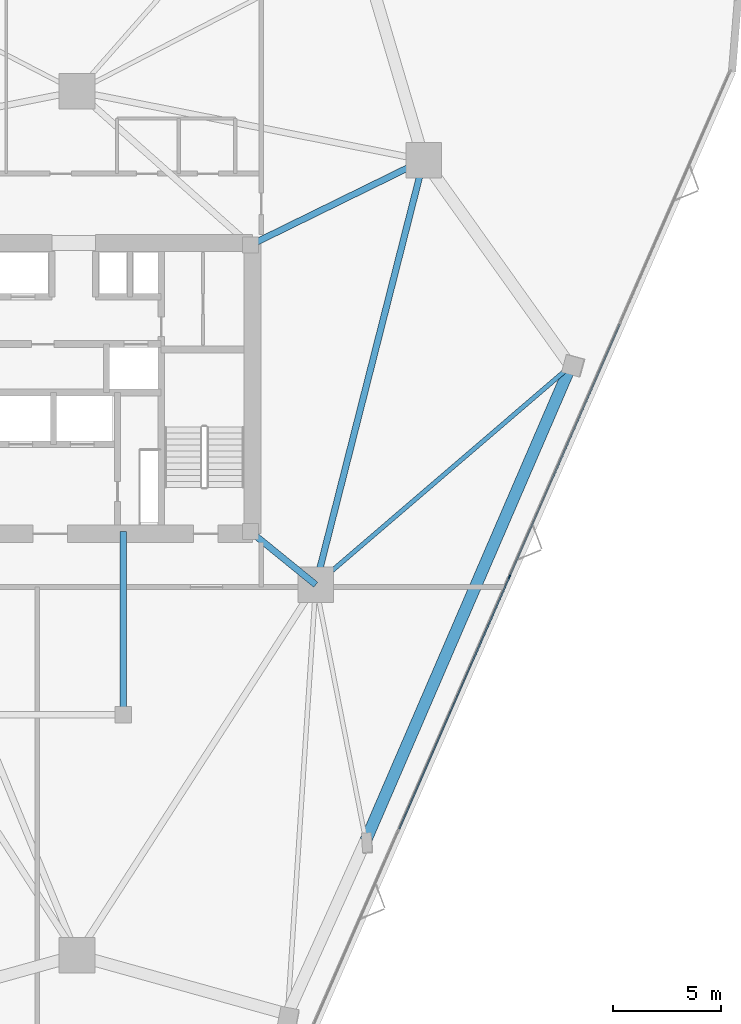
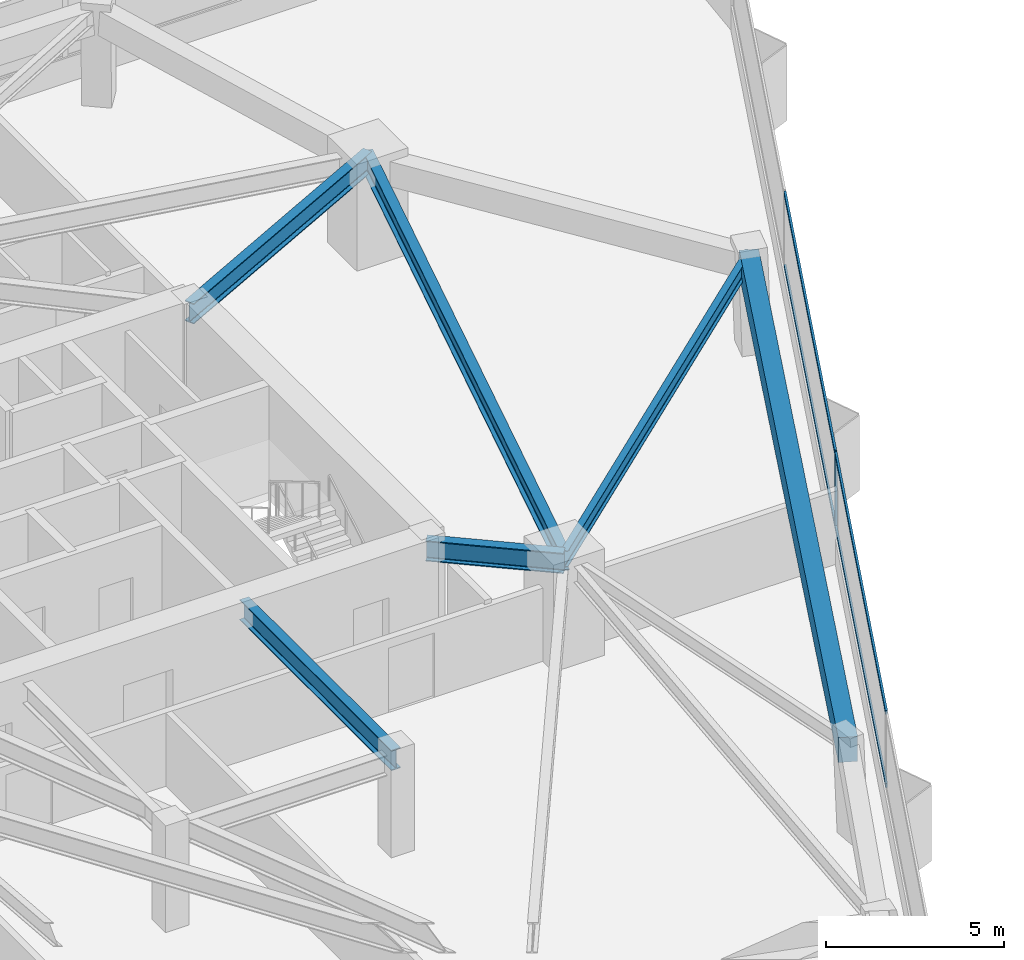
# One storey, part 7 of 16: 6 beams, 5 members, 1 element without a shape of its own.
"""IFC4 building model written with IfcOpenShell, lengths in metres."""

from ifc_helpers import new_model, si_unit, direction, frame, origin, origin_2d, place, context, subcontext, project, spatial, rectangle, i_section, extrude, material, layer, layer_set, material_profile, profile_set, type_object, element, aggregate, save


model = new_model("IFC4")

# Units and contexts
model_context = context("Model", 3, precision=1e-05, world=origin(), true_north=direction((0.0, 1.0)))
body_context = subcontext(model_context, "Body", "Model", "MODEL_VIEW")
ifc_project = project(units=[si_unit("LENGTHUNIT", "METRE"), si_unit("AREAUNIT", "SQUARE_METRE"), si_unit("VOLUMEUNIT", "CUBIC_METRE"), si_unit("PLANEANGLEUNIT", "RADIAN"), si_unit("MASSUNIT", "GRAM", prefix="KILO")], contexts=[model_context])

# Site, building, storey
site_placement = place(None, origin())
site = spatial("IfcSite", under=ifc_project, at=site_placement, CompositionType="ELEMENT")
building_placement = place(site_placement, origin())
building = spatial("IfcBuilding", under=site, at=building_placement, Name="Talyreon Biosciences Tower", CompositionType="ELEMENT")
storey_placement = place(building_placement, frame((0.0, 0.0, 107.85009765625)))
storey = spatial("IfcBuildingStorey", under=building, at=storey_placement, Name="L28", CompositionType="ELEMENT", Elevation=107.85009765625)

# Curtain wall, members
ifc_material_1 = material(Name="Thermally broken aluminium and low-E glazing", Category="aluminium")
ifc_layer = layer(ifc_material_1, 0.18994140625)
ifc_layer_set = layer_set([ifc_layer], Name="Thermally broken aluminium and low-E glazing")
curtain_wall_type = type_object("IfcCurtainWallType", Name="CurtainWall_Zone2Genomics", PredefinedType="NOTDEFINED", material=ifc_layer_set)
curtain_wall_placement = place(storey_placement, origin())
curtain_wall = element("IfcCurtainWall", 1, at=curtain_wall_placement, inside=storey, type_object=curtain_wall_type, Name="L28 Unitised Curtain Wall FCW-L28-08", PredefinedType="NOTDEFINED")
ifc_material_2 = material(Name="Anodised thermally broken aluminium", Category="aluminium")
ifc_material_profile_1 = material_profile(ifc_material_2, rectangle(XDim=0.06494140625, YDim=0.179931640625, at=origin_2d()), Name="ALUM MULLION 65x180")
ifc_profile_set_1 = profile_set([ifc_material_profile_1], Name="Anodised thermally broken aluminium")
member_type_1 = type_object("IfcMemberType", Name="CWMullion_65x180", PredefinedType="MULLION", material=ifc_profile_set_1)
member_1_placement = place(storey_placement, frame((86.083984375, 59.25146484375, 0.809814453125), z_axis=(0.0, 0.0, 1.0), x_axis=(0.9163461482, -0.400386983653, 0.0)))
member_1 = element("IfcMember", 2, at=member_1_placement, type_object=member_type_1, Name="CW3 mullion 3", PredefinedType="MULLION", context=body_context, shape_type="SweptSolid", body=[
    extrude(rectangle(XDim=0.06494140625, YDim=0.179931640625, at=origin_2d()), origin(), (0.0, 0.0, 1.0), 2.565185546875),
])
ifc_material_profile_2 = material_profile(ifc_material_2, rectangle(XDim=0.06494140625, YDim=0.139892578125, at=origin_2d()), Name="ALUM TRANSOM 65x140")
ifc_profile_set_2 = profile_set([ifc_material_profile_2], Name="Anodised thermally broken aluminium")
member_type_2 = type_object("IfcMemberType", Name="CWTransom_65x140", PredefinedType="USERDEFINED", material=ifc_profile_set_2)
member_2_placement = place(storey_placement, frame((91.20166015625, 70.96435546875, 0.84228515625), z_axis=(-0.400382823213, -0.916347966046, 0.0), x_axis=(0.916347966046, -0.400382823213, 0.0)))
member_2 = element("IfcMember", 3, at=member_2_placement, type_object=member_type_2, Name="CW3 transom 2.1", ObjectType="TRANSOM", PredefinedType="USERDEFINED", context=body_context, shape_type="SweptSolid", body=[
    extrude(rectangle(XDim=0.06494140625, YDim=0.139892578125, at=origin_2d()), origin(), (0.0, 0.0, 1.0), 12.749755859375),
])
member_3_placement = place(storey_placement, frame((91.20166015625, 70.96435546875, 3.34228515625), z_axis=(-0.400382823213, -0.916347966046, 0.0), x_axis=(0.916347966046, -0.400382823213, 0.0)))
member_3 = element("IfcMember", 4, at=member_3_placement, type_object=member_type_2, Name="CW3 transom 2.2", ObjectType="TRANSOM", PredefinedType="USERDEFINED", context=body_context, shape_type="SweptSolid", body=[
    extrude(rectangle(XDim=0.06494140625, YDim=0.139892578125, at=origin_2d()), origin(), (0.0, 0.0, 1.0), 12.749755859375),
])
member_4_placement = place(storey_placement, frame((86.071044921875, 59.2216796875, 0.84228515625), z_axis=(-0.400389848838, -0.916344896285, 0.0), x_axis=(0.916344896285, -0.400389848838, 0.0)))
member_4 = element("IfcMember", 5, at=member_4_placement, type_object=member_type_2, Name="CW3 transom 3.1", ObjectType="TRANSOM", PredefinedType="USERDEFINED", context=body_context, shape_type="SweptSolid", body=[
    extrude(rectangle(XDim=0.06494140625, YDim=0.139892578125, at=origin_2d()), origin(), (0.0, 0.0, 1.0), 12.74951171875),
])
member_5_placement = place(storey_placement, frame((86.071044921875, 59.2216796875, 3.34228515625), z_axis=(-0.400389848838, -0.916344896285, 0.0), x_axis=(0.916344896285, -0.400389848838, 0.0)))
member_5 = element("IfcMember", 6, at=member_5_placement, type_object=member_type_2, Name="CW3 transom 3.2", ObjectType="TRANSOM", PredefinedType="USERDEFINED", context=body_context, shape_type="SweptSolid", body=[
    extrude(rectangle(XDim=0.06494140625, YDim=0.139892578125, at=origin_2d()), origin(), (0.0, 0.0, 1.0), 12.74951171875),
])
aggregate(curtain_wall, [member_1, member_2, member_3, member_4, member_5])

# Beams
ifc_material_3 = material(Name="Precast concrete C45/55", Category="concrete")
ifc_material_profile_3 = material_profile(ifc_material_3, rectangle(XDim=0.550048828125, YDim=0.85009765625, at=origin_2d()), Name="RCB 550x850")
ifc_profile_set_3 = profile_set([ifc_material_profile_3], Name="Precast concrete C45/55")
beam_type_1 = type_object("IfcBeamType", Name="ExpressedSpandrel_550x850", PredefinedType="SPANDREL", material=ifc_profile_set_3)
beam_1_placement = place(storey_placement, frame((79.408203125, 47.00244140625, 2.949951171875), z_axis=(0.396460766857, 0.9180516654, 0.0), x_axis=(-0.9180516654, 0.396460766857, 0.0)))
element("IfcBeam", 7, at=beam_1_placement, inside=storey, type_object=beam_type_1, Name="L28 Expressed Horizontal Concrete Spandrel 03", PredefinedType="SPANDREL", context=body_context, shape_type="SweptSolid", body=[
    extrude(rectangle(XDim=0.550048828125, YDim=0.85009765625, at=origin_2d()), origin(), (0.0, 0.0, 1.0), 23.99658203125),
])
ifc_material_4 = material(Name="Steel SM355", Category="steel")
ifc_material_profile_4 = material_profile(ifc_material_4, i_section(OverallWidth=0.300048828125, OverallDepth=0.699951171875, WebThickness=0.01708984375, FlangeThickness=0.031982421875, FilletRadius=0.027099609375, at=origin_2d()), Name="HE700B")
ifc_profile_set_4 = profile_set([ifc_material_profile_4], Name="Steel SM355")
beam_type_2 = type_object("IfcBeamType", Name="SteelGirder_HE700B", PredefinedType="BEAM", material=ifc_profile_set_4)
beam_2_placement = place(storey_placement, frame((77.086181640625, 58.88037109375, 3.02490234375), z_axis=(0.246537082299, 0.969133358755, 0.0), x_axis=(-0.969133358755, 0.246537082299, 0.0)))
element("IfcBeam", 8, at=beam_2_placement, inside=storey, type_object=beam_type_2, Name="L28 Mega-Ring Girder 2", PredefinedType="BEAM", context=body_context, shape_type="SweptSolid", body=[
    extrude(i_section(OverallWidth=0.300048828125, OverallDepth=0.699951171875, WebThickness=0.01708984375, FlangeThickness=0.031982421875, FilletRadius=0.027099609375, at=origin_2d()), origin(), (0.0, 0.0, 1.0), 20.34619140625),
])
beam_3_placement = place(storey_placement, frame((74.050048828125, 61.35009765625, 3.02490234375), z_axis=(0.775755154013, -0.631034025249, 0.0), x_axis=(0.631034025249, 0.775755154013, 0.0)))
element("IfcBeam", 9, at=beam_3_placement, inside=storey, type_object=beam_type_2, Name="L28 Radial Primary Girder 2", PredefinedType="BEAM", context=body_context, shape_type="SweptSolid", body=[
    extrude(i_section(OverallWidth=0.300048828125, OverallDepth=0.699951171875, WebThickness=0.01708984375, FlangeThickness=0.031982421875, FilletRadius=0.027099609375, at=origin_2d()), origin(), (0.0, 0.0, 1.0), 3.913818359375),
])
beam_4_placement = place(storey_placement, frame((74.050048828125, 74.64990234375, 3.02490234375), z_axis=(0.897852360314, 0.440296648952, 0.0), x_axis=(-0.440296648952, 0.897852360314, 0.0)))
element("IfcBeam", 10, at=beam_4_placement, inside=storey, type_object=beam_type_2, Name="L28 Radial Primary Girder 3", PredefinedType="BEAM", context=body_context, shape_type="SweptSolid", body=[
    extrude(i_section(OverallWidth=0.300048828125, OverallDepth=0.699951171875, WebThickness=0.01708984375, FlangeThickness=0.031982421875, FilletRadius=0.027099609375, at=origin_2d()), origin(), (0.0, 0.0, 1.0), 8.96826171875),
])
beam_5_placement = place(storey_placement, frame((68.14990234375, 52.840087890625, 3.02490234375), z_axis=(0.0, 1.0, 0.0), x_axis=(-1.0, 0.0, 0.0)))
element("IfcBeam", 11, at=beam_5_placement, inside=storey, type_object=beam_type_2, Name="L28 Crown Shaft Tie Girder E", PredefinedType="BEAM", context=body_context, shape_type="SweptSolid", body=[
    extrude(i_section(OverallWidth=0.300048828125, OverallDepth=0.699951171875, WebThickness=0.01708984375, FlangeThickness=0.031982421875, FilletRadius=0.027099609375, at=origin_2d()), origin(), (0.0, 0.0, 1.0), 8.510009765625),
])
ifc_material_profile_5 = material_profile(ifc_material_4, i_section(OverallWidth=0.2099609375, OverallDepth=0.550048828125, WebThickness=0.010986328125, FlangeThickness=0.01708984375, FilletRadius=0.02392578125, at=origin_2d()), Name="IPE550")
ifc_profile_set_5 = profile_set([ifc_material_profile_5], Name="Steel SM355")
beam_type_3 = type_object("IfcBeamType", Name="SteelJoist_IPE550", PredefinedType="JOIST", material=ifc_profile_set_5)
beam_6_placement = place(storey_placement, frame((77.086181640625, 58.88037109375, 3.099853515625), z_axis=(0.75902778144, 0.65105823626, 0.0), x_axis=(-0.65105823626, 0.75902778144, 0.0)))
element("IfcBeam", 12, at=beam_6_placement, inside=storey, type_object=beam_type_3, Name="L28 Radial Composite Floor Joist PC-SE2", PredefinedType="JOIST", context=body_context, shape_type="SweptSolid", body=[
    extrude(i_section(OverallWidth=0.2099609375, OverallDepth=0.550048828125, WebThickness=0.010986328125, FlangeThickness=0.01708984375, FilletRadius=0.02392578125, at=origin_2d()), origin(), (0.0, 0.0, 1.0), 15.59326171875),
])

save(model, "model.ifc")
